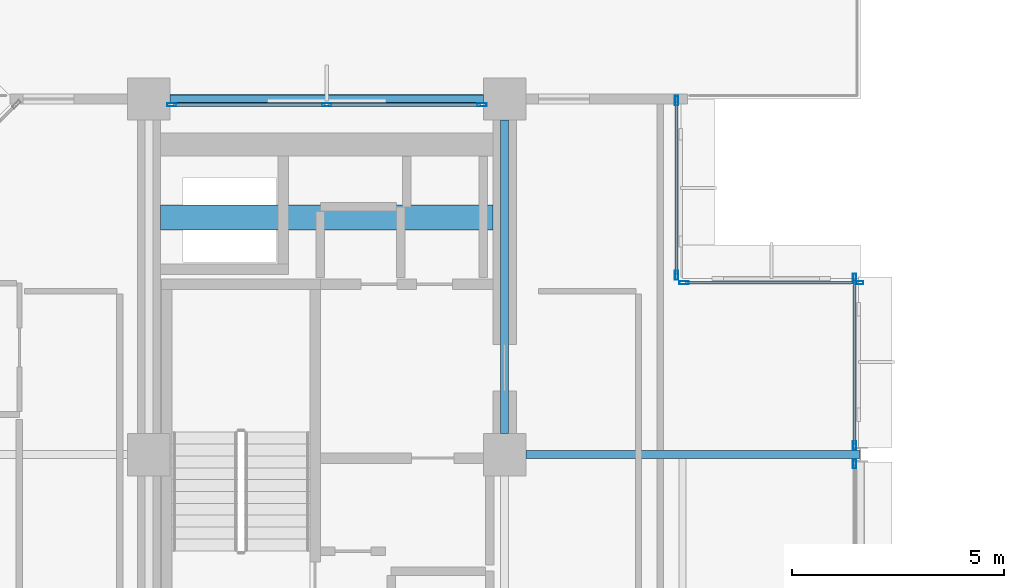
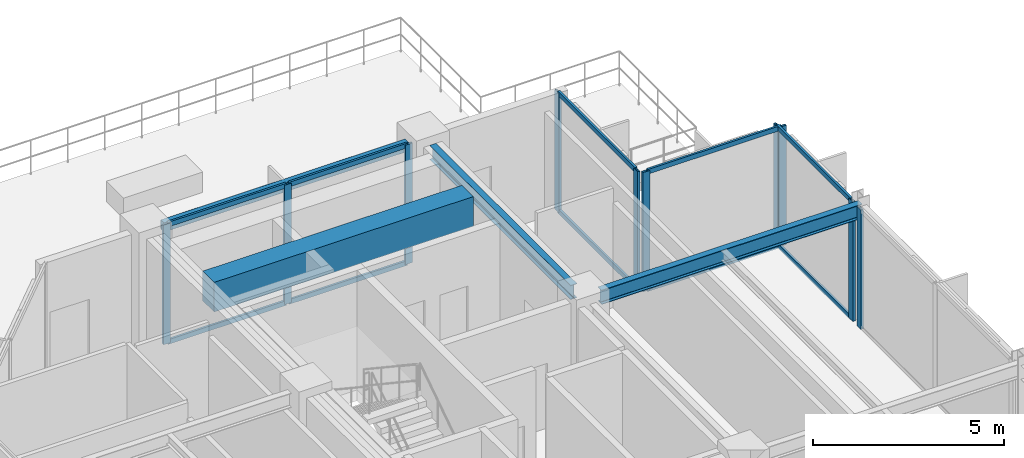
# One storey, part 13 of 21: 20 members, 4 beams, 5 elements without a shape of their own.
"""IFC4 building model written with IfcOpenShell, lengths in metres."""

import ifcopenshell
import ifcopenshell.guid

model = None  # the IFC model being written
_history = None  # IfcOwnerHistory: only IFC2X3 demands one
_inside = {}  # id of a spatial element -> (the spatial element, [elements in it])
_under = {}  # id of a project, library or spatial element -> (it, [spatial elements below it])
_declared = {}  # id of a project -> (the project, [libraries it declares])
_typed = {}  # id of a type object -> (the type object, [elements of that type])
_made_of = {}  # id of a material, layer set ... -> (it, [elements and type objects made of it])


def new_model(schema):
    """Start an empty IFC model of exactly this schema.

    Asked for "IFC4X3", IfcOpenShell would pick the latest addendum, in which some entities
    have other attributes; the version numbers below select the first issue.
    IFC2X3 requires an IfcOwnerHistory on every rooted entity: one is made here for all.
    """
    global model, _history
    if schema == "IFC4X3":
        model = ifcopenshell.file(schema_version=(4, 3, 0, 0))
    else:
        model = ifcopenshell.file(schema=schema)
    _inside.clear()
    _under.clear()
    _declared.clear()
    _typed.clear()
    _made_of.clear()
    _history = None
    if model.schema == "IFC2X3":
        org = make("IfcOrganization", Name="unknown")
        user = make(
            "IfcPersonAndOrganization",
            ThePerson=make("IfcPerson", FamilyName="unknown"),
            TheOrganization=org,
        )
        app = make(
            "IfcApplication",
            ApplicationDeveloper=org,
            Version="unknown",
            ApplicationFullName="unknown",
            ApplicationIdentifier="unknown",
        )
        _history = make(
            "IfcOwnerHistory",
            OwningUser=user,
            OwningApplication=app,
            ChangeAction="ADDED",
            CreationDate=0,
        )
    return model


def make(cls, **values):
    """One entity of the class cls with the attributes given. An attribute that is None is left unset."""
    return model.create_entity(
        cls, **{name: value for name, value in values.items() if value is not None}
    )


def rooted(cls, **values):
    """An entity with a GlobalId (a new one), such as an element, a storey or a relation."""
    return make(cls, GlobalId=ifcopenshell.guid.new(), OwnerHistory=_history, **values)


def si_unit(unit_type, name, prefix=None):
    """IfcSIUnit, for example si_unit("LENGTHUNIT", "METRE", prefix="MILLI")."""
    return make("IfcSIUnit", UnitType=unit_type, Prefix=prefix, Name=name)


def assignment(units):
    """IfcUnitAssignment: the units of a project."""
    return None if units is None else make("IfcUnitAssignment", Units=units)


def point(xyz):
    """IfcCartesianPoint."""
    return None if xyz is None else make("IfcCartesianPoint", Coordinates=xyz)


def direction(xyz):
    """IfcDirection."""
    return None if xyz is None else make("IfcDirection", DirectionRatios=xyz)


def frame(location, z_axis=None, x_axis=None):
    """IfcAxis2Placement3D, a coordinate frame: its origin and axes. An axis left out is left unset."""
    return make(
        "IfcAxis2Placement3D",
        Location=point(location),
        Axis=direction(z_axis),
        RefDirection=direction(x_axis),
    )


def frame_2d(location, x_axis=None):
    """IfcAxis2Placement2D, a coordinate frame in the plane: its origin and x axis."""
    return make(
        "IfcAxis2Placement2D", Location=point(location), RefDirection=direction(x_axis)
    )


def origin():
    """The frame at (0, 0, 0) with its axes left unset."""
    return frame((0.0, 0.0, 0.0))


def origin_2d():
    """The frame at (0, 0) in the plane with its x axis left unset."""
    return frame_2d((0.0, 0.0))


def place(relative_to, where):
    """IfcLocalPlacement: puts the frame where relative to a parent placement (None: the world)."""
    return make(
        "IfcLocalPlacement", PlacementRelTo=relative_to, RelativePlacement=where
    )


def context(
    kind, dimensions, precision=None, world=None, true_north=None, identifier=None
):
    """IfcGeometricRepresentationContext, for example the 3D "Model" context."""
    return make(
        "IfcGeometricRepresentationContext",
        ContextIdentifier=identifier,
        ContextType=kind,
        CoordinateSpaceDimension=dimensions,
        Precision=precision,
        WorldCoordinateSystem=world,
        TrueNorth=true_north,
    )


def subcontext(parent, identifier, kind, view, scale=None):
    """IfcGeometricRepresentationSubContext, for example "Body" below "Model"."""
    return make(
        "IfcGeometricRepresentationSubContext",
        ContextIdentifier=identifier,
        ContextType=kind,
        ParentContext=parent,
        TargetScale=scale,
        TargetView=view,
    )


def project(units=None, contexts=None):
    """IfcProject with its units and contexts."""
    return rooted(
        "IfcProject",
        Name="project",
        RepresentationContexts=contexts,
        UnitsInContext=assignment(units),
    )


def spatial(cls, under=None, at=None, **own):
    """A site, building, storey or space (cls), placed at a placement, below another one or the project."""
    s = rooted(cls, ObjectPlacement=at, **own)
    if under is not None:
        _under.setdefault(under.id(), (under, []))[1].append(s)
    return s


def profile(cls, at=None, kind="AREA", **sizes):
    """A parametric profile (cls). Its sizes go by their IFC names, for example OverallWidth=200.0."""
    return make(cls, ProfileType=kind, Position=at, **sizes)


def rectangle(**sizes):
    """IfcRectangleProfileDef."""
    return profile("IfcRectangleProfileDef", **sizes)


def hollow_rectangle(**sizes):
    """IfcRectangleHollowProfileDef."""
    return profile("IfcRectangleHollowProfileDef", **sizes)


def i_section(**sizes):
    """IfcIShapeProfileDef."""
    return profile("IfcIShapeProfileDef", **sizes)


def extrude(swept, where, along, depth):
    """IfcExtrudedAreaSolid: the profile swept, set in the frame where, extruded along a direction by depth."""
    return make(
        "IfcExtrudedAreaSolid",
        SweptArea=swept,
        Position=where,
        ExtrudedDirection=direction(along),
        Depth=depth,
    )


def shape(context_of_items, identifier, shape_type, items):
    """IfcShapeRepresentation: the items that make up one representation, for example the "Body"."""
    return make(
        "IfcShapeRepresentation",
        ContextOfItems=context_of_items,
        RepresentationIdentifier=identifier,
        RepresentationType=shape_type,
        Items=items,
    )


def material(Name=None, Category=None):
    """IfcMaterial."""
    return make("IfcMaterial", Name=Name, Category=Category)


def layer(
    of_material, thickness, ventilated=None, Name=None, Category=None, Priority=None
):
    """IfcMaterialLayer: one layer of a wall or slab, of a material (None: an air gap)."""
    return make(
        "IfcMaterialLayer",
        Material=of_material,
        LayerThickness=thickness,
        IsVentilated=ventilated,
        Name=Name,
        Category=Category,
        Priority=Priority,
    )


def layer_set(layers, Name=None):
    """IfcMaterialLayerSet."""
    return make("IfcMaterialLayerSet", MaterialLayers=layers, LayerSetName=Name)


def material_profile(
    of_material, cross_section, Name=None, Category=None, Priority=None
):
    """IfcMaterialProfile: a cross section and its material."""
    return make(
        "IfcMaterialProfile",
        Name=Name,
        Material=of_material,
        Profile=cross_section,
        Priority=Priority,
        Category=Category,
    )


def profile_set(profiles, Name=None, composite=None):
    """IfcMaterialProfileSet."""
    return make(
        "IfcMaterialProfileSet",
        Name=Name,
        MaterialProfiles=profiles,
        CompositeProfile=composite,
    )


def made_of(thing, what):
    """Note that an element or type object is made of a material, layer set ...; save() writes the relation."""
    if what is not None:
        _made_of.setdefault(what.id(), (what, []))[1].append(thing)
    return thing


def type_object(cls, material=None, **own):
    """A type object (cls), such as IfcWallType, which elements share."""
    return made_of(rooted(cls, **own), material)


def element(
    cls,
    number,
    at=None,
    inside=None,
    cuts=None,
    type_object=None,
    material=None,
    context=None,
    identifier="Body",
    shape_type=None,
    held_by="IfcProductDefinitionShape",
    body=None,
    shapes=None,
    **own,
):
    """One element of the class cls, such as IfcWall. Its Tag is "e" and its number.

    at: its placement. inside: the storey or other place that contains it. cuts: it is an
    opening in that element (IfcRelVoidsElement). A single representation is given by context,
    identifier, shape_type and body (its items); several are given by shapes. held_by: the class
    of the entity that holds the representations. save() writes the other relations.
    """
    e = rooted(cls, Tag="e%d" % number, ObjectPlacement=at, **own)
    if body is not None:
        shapes = [shape(context, identifier, shape_type, body)]
    if shapes is not None:
        e.Representation = make(held_by, Representations=shapes)
    if inside is not None:
        _inside.setdefault(inside.id(), (inside, []))[1].append(e)
    if cuts is not None:
        rooted(
            "IfcRelVoidsElement", RelatingBuildingElement=cuts, RelatedOpeningElement=e
        )
    if type_object is not None:
        _typed.setdefault(type_object.id(), (type_object, []))[1].append(e)
    return made_of(e, material)


def aggregate(whole, parts):
    """IfcRelAggregates: a whole, such as a stair, and the parts it consists of."""
    return rooted("IfcRelAggregates", RelatingObject=whole, RelatedObjects=parts)


def save(model, path):
    """Write the relations noted so far, then the file.

    IfcRelAggregates (storeys below a building ...), IfcRelContainedInSpatialStructure (elements
    in a storey), IfcRelDefinesByType, IfcRelAssociatesMaterial and IfcRelDeclares: one each for
    every whole, place, type object, material and project.
    """
    for whole, parts in _under.values():
        aggregate(whole, parts)
    for where, things in _inside.values():
        rooted(
            "IfcRelContainedInSpatialStructure",
            RelatedElements=things,
            RelatingStructure=where,
        )
    for kind, things in _typed.values():
        rooted("IfcRelDefinesByType", RelatedObjects=things, RelatingType=kind)
    for what, things in _made_of.values():
        rooted("IfcRelAssociatesMaterial", RelatedObjects=things, RelatingMaterial=what)
    for by, libraries in _declared.values():
        rooted("IfcRelDeclares", RelatingContext=by, RelatedDefinitions=libraries)
    model.write(path)


model = new_model("IFC4")

# Units and contexts
model_context = context("Model", 3, precision=1e-05, world=origin(), true_north=direction((0.0, 1.0)))
body_context = subcontext(model_context, "Body", "Model", "MODEL_VIEW")
ifc_project = project(units=[si_unit("LENGTHUNIT", "METRE"), si_unit("AREAUNIT", "SQUARE_METRE"), si_unit("VOLUMEUNIT", "CUBIC_METRE"), si_unit("PLANEANGLEUNIT", "RADIAN"), si_unit("MASSUNIT", "GRAM", prefix="KILO")], contexts=[model_context])

# Site, building, storey
site_placement = place(None, origin())
site = spatial("IfcSite", under=ifc_project, at=site_placement, CompositionType="ELEMENT")
building_placement = place(site_placement, origin())
building = spatial("IfcBuilding", under=site, at=building_placement, Name="Nerrivon Quay Data Exchange", CompositionType="ELEMENT")
storey_placement = place(building_placement, frame((0.0, 0.0, 220.60009765625)))
storey = spatial("IfcBuildingStorey", under=building, at=storey_placement, Name="L52", CompositionType="ELEMENT", Elevation=220.60009765625)

# Beams
ifc_material_1 = material(Name="Concrete N50 (50 MPa)", Category="concrete")
ifc_material_profile_1 = material_profile(ifc_material_1, rectangle(XDim=0.60009765625, YDim=0.949951171875, at=origin_2d()), Name="RC-CB-600x950")
ifc_profile_set_1 = profile_set([ifc_material_profile_1], Name="Concrete N50 (50 MPa)")
beam_type_1 = type_object("IfcBeamType", Name="BM-CB2-600x950", PredefinedType="LINTEL", material=ifc_profile_set_1)
beam_1_placement = place(storey_placement, frame((8.675048828125, 39.199951171875, 3.349853515625), z_axis=(1.0, 0.0, 0.0), x_axis=(0.0, 1.0, 0.0)))
element("IfcBeam", 1, at=beam_1_placement, inside=storey, type_object=beam_type_1, Name="L52 West Core Coupling Beam", PredefinedType="LINTEL", context=body_context, shape_type="SweptSolid", body=[
    extrude(rectangle(XDim=0.60009765625, YDim=0.949951171875, at=origin_2d()), origin(), (0.0, 0.0, 1.0), 7.849853515625),
])
ifc_material_2 = material(Name="Steel Grade 350", Category="steel")
ifc_material_profile_2 = material_profile(ifc_material_2, i_section(OverallWidth=0.19091796875, OverallDepth=0.4599609375, WebThickness=0.010009765625, FlangeThickness=0.01611328125, FilletRadius=0.011474609375, at=origin_2d()), Name="460UB82.1")
ifc_profile_set_2 = profile_set([ifc_material_profile_2], Name="Steel Grade 350")
beam_type_2 = type_object("IfcBeamType", Name="BM-G5-460UB82", PredefinedType="BEAM", material=ifc_profile_set_2)
beam_2_placement = place(storey_placement, frame((17.300048828125, 33.60009765625, 3.594970703125), z_axis=(1.0, 0.0, 0.0), x_axis=(0.0, 1.0, 0.0)))
element("IfcBeam", 2, at=beam_2_placement, inside=storey, type_object=beam_type_2, Name="L52 EW Girder Y=33.6 (16.8..25.2)", PredefinedType="BEAM", context=body_context, shape_type="SweptSolid", body=[
    extrude(i_section(OverallWidth=0.19091796875, OverallDepth=0.4599609375, WebThickness=0.010009765625, FlangeThickness=0.01611328125, FilletRadius=0.011474609375, at=origin_2d()), origin(), (0.0, 0.0, 1.0), 7.889892578125),
])
ifc_material_profile_3 = material_profile(ifc_material_2, i_section(OverallWidth=0.18994140625, OverallDepth=0.4541015625, WebThickness=0.008544921875, FlangeThickness=0.0126953125, FilletRadius=0.011474609375, at=origin_2d()), Name="460UB67.1")
ifc_profile_set_3 = profile_set([ifc_material_profile_3], Name="Steel Grade 350")
beam_type_3 = type_object("IfcBeamType", Name="BM-G6-460UB67", PredefinedType="BEAM", material=ifc_profile_set_3)
beam_3_placement = place(storey_placement, frame((16.800048828125, 34.10009765625, 3.597900390625), z_axis=(0.0, 1.0, 0.0), x_axis=(-1.0, 0.0, 0.0)))
element("IfcBeam", 3, at=beam_3_placement, inside=storey, type_object=beam_type_3, Name="L52 NS Girder X=16.8 (33.6..42.0)", PredefinedType="BEAM", context=body_context, shape_type="SweptSolid", body=[
    extrude(i_section(OverallWidth=0.18994140625, OverallDepth=0.4541015625, WebThickness=0.008544921875, FlangeThickness=0.0126953125, FilletRadius=0.011474609375, at=origin_2d()), origin(), (0.0, 0.0, 1.0), 7.39990234375),
])
ifc_material_3 = material(Name="Steel Grade C350L0 (350 MPa)", Category="steel")
ifc_material_profile_4 = material_profile(ifc_material_3, hollow_rectangle(XDim=0.199951171875, YDim=0.300048828125, WallThickness=0.012451171875, InnerFilletRadius=0.018798828125, OuterFilletRadius=0.03125, at=origin_2d()), Name="300x200x12.5RHS")
ifc_profile_set_4 = profile_set([ifc_material_profile_4], Name="Steel Grade C350L0 (350 MPa)")
beam_type_4 = type_object("IfcBeamType", Name="BM-SP3-300x200RHS", PredefinedType="SPANDREL", material=ifc_profile_set_4)
beam_4_placement = place(storey_placement, frame((8.89990234375, 42.0, 3.6748046875), z_axis=(1.0, 0.0, 0.0), x_axis=(0.0, 1.0, 0.0)))
element("IfcBeam", 4, at=beam_4_placement, inside=storey, type_object=beam_type_4, Name="L52 EW Girder Y=42.0 (8.4..16.8)", PredefinedType="SPANDREL", context=body_context, shape_type="SweptSolid", body=[
    extrude(hollow_rectangle(XDim=0.199951171875, YDim=0.300048828125, WallThickness=0.012451171875, InnerFilletRadius=0.018798828125, OuterFilletRadius=0.03125, at=origin_2d()), origin(), (0.0, 0.0, 1.0), 7.400146484375),
])

# Curtain wall, members
ifc_material_4 = material(Name="Anodised aluminium 6063-T6", Category="aluminium")
ifc_layer = layer(ifc_material_4, 0.22998046875)
ifc_layer_set = layer_set([ifc_layer], Name="Anodised aluminium 6063-T6")
curtain_wall_type = type_object("IfcCurtainWallType", Name="CW-SYS-05", PredefinedType="NOTDEFINED", material=ifc_layer_set)
curtain_wall_1_placement = place(storey_placement, origin())
curtain_wall_1 = element("IfcCurtainWall", 5, at=curtain_wall_1_placement, inside=storey, type_object=curtain_wall_type, Name="L52 Unitised Curtain Wall 18", PredefinedType="NOTDEFINED")
ifc_material_profile_5 = material_profile(ifc_material_4, hollow_rectangle(XDim=0.074951171875, YDim=0.219970703125, WallThickness=0.00390625, at=origin_2d()), Name="ALU-MULL-220x75")
ifc_profile_set_5 = profile_set([ifc_material_profile_5], Name="Anodised aluminium 6063-T6")
member_type_1 = type_object("IfcMemberType", Name="CWM-220x75", PredefinedType="MULLION", material=ifc_profile_set_5)
member_1_placement = place(storey_placement, frame((8.9375, 41.860107421875, 0.0), z_axis=(0.0, 0.0, 1.0), x_axis=(0.0, 1.0, 0.0)))
member_1 = element("IfcMember", 6, at=member_1_placement, type_object=member_type_1, Name="CW05 mullion 1", PredefinedType="MULLION", context=body_context, shape_type="SweptSolid", body=[
    extrude(hollow_rectangle(XDim=0.074951171875, YDim=0.219970703125, WallThickness=0.00390625, at=origin_2d()), origin(), (0.0, 0.0, 1.0), 3.824951171875),
])
member_2_placement = place(storey_placement, frame((12.60009765625, 41.860107421875, 0.0), z_axis=(0.0, 0.0, 1.0), x_axis=(0.0, 1.0, 0.0)))
member_2 = element("IfcMember", 7, at=member_2_placement, type_object=member_type_1, Name="CW05 mullion 2", PredefinedType="MULLION", context=body_context, shape_type="SweptSolid", body=[
    extrude(hollow_rectangle(XDim=0.074951171875, YDim=0.219970703125, WallThickness=0.00390625, at=origin_2d()), origin(), (0.0, 0.0, 1.0), 3.824951171875),
])
member_3_placement = place(storey_placement, frame((16.262451171875, 41.860107421875, 0.0), z_axis=(0.0, 0.0, 1.0), x_axis=(0.0, 1.0, 0.0)))
member_3 = element("IfcMember", 8, at=member_3_placement, type_object=member_type_1, Name="CW05 mullion 3", PredefinedType="MULLION", context=body_context, shape_type="SweptSolid", body=[
    extrude(hollow_rectangle(XDim=0.074951171875, YDim=0.219970703125, WallThickness=0.00390625, at=origin_2d()), origin(), (0.0, 0.0, 1.0), 3.824951171875),
])

curtain_wall_2_placement = place(storey_placement, origin())
curtain_wall_2 = element("IfcCurtainWall", 9, at=curtain_wall_2_placement, inside=storey, type_object=curtain_wall_type, Name="L52 Unitised Curtain Wall 20", PredefinedType="NOTDEFINED")
member_4_placement = place(storey_placement, frame((20.860107421875, 41.96240234375, 0.0), z_axis=(0.0, 0.0, 1.0), x_axis=(1.0, 0.0, 0.0)))
member_4 = element("IfcMember", 10, at=member_4_placement, type_object=member_type_1, Name="CW05 mullion 1", PredefinedType="MULLION", context=body_context, shape_type="SweptSolid", body=[
    extrude(hollow_rectangle(XDim=0.074951171875, YDim=0.219970703125, WallThickness=0.00390625, at=origin_2d()), origin(), (0.0, 0.0, 1.0), 3.824951171875),
])
member_5_placement = place(storey_placement, frame((20.860107421875, 37.83740234375, 0.0), z_axis=(0.0, 0.0, 1.0), x_axis=(1.0, 0.0, 0.0)))
member_5 = element("IfcMember", 11, at=member_5_placement, type_object=member_type_1, Name="CW05 mullion 2", PredefinedType="MULLION", context=body_context, shape_type="SweptSolid", body=[
    extrude(hollow_rectangle(XDim=0.074951171875, YDim=0.219970703125, WallThickness=0.00390625, at=origin_2d()), origin(), (0.0, 0.0, 1.0), 3.824951171875),
])

curtain_wall_3_placement = place(storey_placement, origin())
curtain_wall_3 = element("IfcCurtainWall", 12, at=curtain_wall_3_placement, inside=storey, type_object=curtain_wall_type, Name="L52 Unitised Curtain Wall 21", PredefinedType="NOTDEFINED")
member_6_placement = place(storey_placement, frame((21.03759765625, 37.659912109375, 0.0), z_axis=(0.0, 0.0, 1.0), x_axis=(0.0, 1.0, 0.0)))
member_6 = element("IfcMember", 13, at=member_6_placement, type_object=member_type_1, Name="CW05 mullion 1", PredefinedType="MULLION", context=body_context, shape_type="SweptSolid", body=[
    extrude(hollow_rectangle(XDim=0.074951171875, YDim=0.219970703125, WallThickness=0.00390625, at=origin_2d()), origin(), (0.0, 0.0, 1.0), 3.824951171875),
])
member_7_placement = place(storey_placement, frame((25.16259765625, 37.659912109375, 0.0), z_axis=(0.0, 0.0, 1.0), x_axis=(0.0, 1.0, 0.0)))
member_7 = element("IfcMember", 14, at=member_7_placement, type_object=member_type_1, Name="CW05 mullion 2", PredefinedType="MULLION", context=body_context, shape_type="SweptSolid", body=[
    extrude(hollow_rectangle(XDim=0.074951171875, YDim=0.219970703125, WallThickness=0.00390625, at=origin_2d()), origin(), (0.0, 0.0, 1.0), 3.824951171875),
])

curtain_wall_4_placement = place(storey_placement, origin())
curtain_wall_4 = element("IfcCurtainWall", 15, at=curtain_wall_4_placement, inside=storey, type_object=curtain_wall_type, Name="L52 Unitised Curtain Wall 22", PredefinedType="NOTDEFINED")
member_8_placement = place(storey_placement, frame((25.06005859375, 37.762451171875, 0.0), z_axis=(0.0, 0.0, 1.0), x_axis=(1.0, 0.0, 0.0)))
member_8 = element("IfcMember", 16, at=member_8_placement, type_object=member_type_1, Name="CW05 mullion 1", PredefinedType="MULLION", context=body_context, shape_type="SweptSolid", body=[
    extrude(hollow_rectangle(XDim=0.074951171875, YDim=0.219970703125, WallThickness=0.00390625, at=origin_2d()), origin(), (0.0, 0.0, 1.0), 3.824951171875),
])
member_9_placement = place(storey_placement, frame((25.06005859375, 33.8125, 0.0), z_axis=(0.0, 0.0, 1.0), x_axis=(1.0, 0.0, 0.0)))
member_9 = element("IfcMember", 17, at=member_9_placement, type_object=member_type_1, Name="CW05 mullion 2", PredefinedType="MULLION", context=body_context, shape_type="SweptSolid", body=[
    extrude(hollow_rectangle(XDim=0.074951171875, YDim=0.219970703125, WallThickness=0.00390625, at=origin_2d()), origin(), (0.0, 0.0, 1.0), 3.824951171875),
])

# Curtain wall, member
curtain_wall_5_placement = place(storey_placement, origin())
curtain_wall_5 = element("IfcCurtainWall", 18, at=curtain_wall_5_placement, inside=storey, type_object=curtain_wall_type, Name="L52 Unitised Curtain Wall 23", PredefinedType="NOTDEFINED")
member_10_placement = place(storey_placement, frame((25.06005859375, 33.387451171875, 0.0), z_axis=(0.0, 0.0, 1.0), x_axis=(1.0, 0.0, 0.0)))
member_10 = element("IfcMember", 19, at=member_10_placement, type_object=member_type_1, Name="CW05 mullion 1", PredefinedType="MULLION", context=body_context, shape_type="SweptSolid", body=[
    extrude(hollow_rectangle(XDim=0.074951171875, YDim=0.219970703125, WallThickness=0.00390625, at=origin_2d()), origin(), (0.0, 0.0, 1.0), 3.824951171875),
])
aggregate(curtain_wall_5, [member_10])

# Member
ifc_material_profile_6 = material_profile(ifc_material_4, hollow_rectangle(XDim=0.06494140625, YDim=0.14990234375, WallThickness=0.00341796875, at=origin_2d()), Name="ALU-TRAN-150x65")
ifc_profile_set_6 = profile_set([ifc_material_profile_6], Name="Anodised aluminium 6063-T6")
member_type_2 = type_object("IfcMemberType", Name="CWT-150x65", PredefinedType="USERDEFINED", material=ifc_profile_set_6)
member_11_placement = place(storey_placement, frame((8.97509765625, 41.860107421875, 0.032470703125), z_axis=(1.0, 0.0, 0.0), x_axis=(0.0, 1.0, 0.0)))
member_11 = element("IfcMember", 20, at=member_11_placement, type_object=member_type_2, Name="CW05 transom 1.1", ObjectType="TRANSOM", PredefinedType="USERDEFINED", context=body_context, shape_type="SweptSolid", body=[
    extrude(hollow_rectangle(XDim=0.06494140625, YDim=0.14990234375, WallThickness=0.00341796875, at=origin_2d()), origin(), (0.0, 0.0, 1.0), 3.58740234375),
])

member_12_placement = place(storey_placement, frame((8.97509765625, 41.860107421875, 3.79248046875), z_axis=(1.0, 0.0, 0.0), x_axis=(0.0, 1.0, 0.0)))
member_12 = element("IfcMember", 21, at=member_12_placement, type_object=member_type_2, Name="CW05 transom 1.2", ObjectType="TRANSOM", PredefinedType="USERDEFINED", context=body_context, shape_type="SweptSolid", body=[
    extrude(hollow_rectangle(XDim=0.06494140625, YDim=0.14990234375, WallThickness=0.00341796875, at=origin_2d()), origin(), (0.0, 0.0, 1.0), 3.58740234375),
])

member_13_placement = place(storey_placement, frame((12.637451171875, 41.860107421875, 0.032470703125), z_axis=(1.0, 0.0, 0.0), x_axis=(0.0, 1.0, 0.0)))
member_13 = element("IfcMember", 22, at=member_13_placement, type_object=member_type_2, Name="CW05 transom 2.1", ObjectType="TRANSOM", PredefinedType="USERDEFINED", context=body_context, shape_type="SweptSolid", body=[
    extrude(hollow_rectangle(XDim=0.06494140625, YDim=0.14990234375, WallThickness=0.00341796875, at=origin_2d()), origin(), (0.0, 0.0, 1.0), 3.587646484375),
])

member_14_placement = place(storey_placement, frame((12.637451171875, 41.860107421875, 3.79248046875), z_axis=(1.0, 0.0, 0.0), x_axis=(0.0, 1.0, 0.0)))
member_14 = element("IfcMember", 23, at=member_14_placement, type_object=member_type_2, Name="CW05 transom 2.2", ObjectType="TRANSOM", PredefinedType="USERDEFINED", context=body_context, shape_type="SweptSolid", body=[
    extrude(hollow_rectangle(XDim=0.06494140625, YDim=0.14990234375, WallThickness=0.00341796875, at=origin_2d()), origin(), (0.0, 0.0, 1.0), 3.587646484375),
])

aggregate(curtain_wall_1, [member_1, member_2, member_3, member_11, member_12, member_13, member_14])

member_15_placement = place(storey_placement, frame((20.860107421875, 41.925048828125, 0.032470703125), z_axis=(0.0, -1.0, 0.0), x_axis=(1.0, 0.0, 0.0)))
member_15 = element("IfcMember", 24, at=member_15_placement, type_object=member_type_2, Name="CW05 transom 1.1", ObjectType="TRANSOM", PredefinedType="USERDEFINED", context=body_context, shape_type="SweptSolid", body=[
    extrude(hollow_rectangle(XDim=0.06494140625, YDim=0.14990234375, WallThickness=0.00341796875, at=origin_2d()), origin(), (0.0, 0.0, 1.0), 4.050048828125),
])

member_16_placement = place(storey_placement, frame((20.860107421875, 41.925048828125, 3.79248046875), z_axis=(0.0, -1.0, 0.0), x_axis=(1.0, 0.0, 0.0)))
member_16 = element("IfcMember", 25, at=member_16_placement, type_object=member_type_2, Name="CW05 transom 1.2", ObjectType="TRANSOM", PredefinedType="USERDEFINED", context=body_context, shape_type="SweptSolid", body=[
    extrude(hollow_rectangle(XDim=0.06494140625, YDim=0.14990234375, WallThickness=0.00341796875, at=origin_2d()), origin(), (0.0, 0.0, 1.0), 4.050048828125),
])

aggregate(curtain_wall_2, [member_4, member_5, member_15, member_16])

member_17_placement = place(storey_placement, frame((21.074951171875, 37.659912109375, 0.032470703125), z_axis=(1.0, 0.0, 0.0), x_axis=(0.0, 1.0, 0.0)))
member_17 = element("IfcMember", 26, at=member_17_placement, type_object=member_type_2, Name="CW05 transom 1.1", ObjectType="TRANSOM", PredefinedType="USERDEFINED", context=body_context, shape_type="SweptSolid", body=[
    extrude(hollow_rectangle(XDim=0.06494140625, YDim=0.14990234375, WallThickness=0.00341796875, at=origin_2d()), origin(), (0.0, 0.0, 1.0), 4.050048828125),
])

member_18_placement = place(storey_placement, frame((21.074951171875, 37.659912109375, 3.79248046875), z_axis=(1.0, 0.0, 0.0), x_axis=(0.0, 1.0, 0.0)))
member_18 = element("IfcMember", 27, at=member_18_placement, type_object=member_type_2, Name="CW05 transom 1.2", ObjectType="TRANSOM", PredefinedType="USERDEFINED", context=body_context, shape_type="SweptSolid", body=[
    extrude(hollow_rectangle(XDim=0.06494140625, YDim=0.14990234375, WallThickness=0.00341796875, at=origin_2d()), origin(), (0.0, 0.0, 1.0), 4.050048828125),
])

aggregate(curtain_wall_3, [member_6, member_7, member_17, member_18])

member_19_placement = place(storey_placement, frame((25.06005859375, 37.72509765625, 0.032470703125), z_axis=(0.0, -1.0, 0.0), x_axis=(1.0, 0.0, 0.0)))
member_19 = element("IfcMember", 28, at=member_19_placement, type_object=member_type_2, Name="CW05 transom 1.1", ObjectType="TRANSOM", PredefinedType="USERDEFINED", context=body_context, shape_type="SweptSolid", body=[
    extrude(hollow_rectangle(XDim=0.06494140625, YDim=0.14990234375, WallThickness=0.00341796875, at=origin_2d()), origin(), (0.0, 0.0, 1.0), 3.875),
])

member_20_placement = place(storey_placement, frame((25.06005859375, 37.72509765625, 3.79248046875), z_axis=(0.0, -1.0, 0.0), x_axis=(1.0, 0.0, 0.0)))
member_20 = element("IfcMember", 29, at=member_20_placement, type_object=member_type_2, Name="CW05 transom 1.2", ObjectType="TRANSOM", PredefinedType="USERDEFINED", context=body_context, shape_type="SweptSolid", body=[
    extrude(hollow_rectangle(XDim=0.06494140625, YDim=0.14990234375, WallThickness=0.00341796875, at=origin_2d()), origin(), (0.0, 0.0, 1.0), 3.875),
])

aggregate(curtain_wall_4, [member_8, member_9, member_19, member_20])

save(model, "model.ifc")
